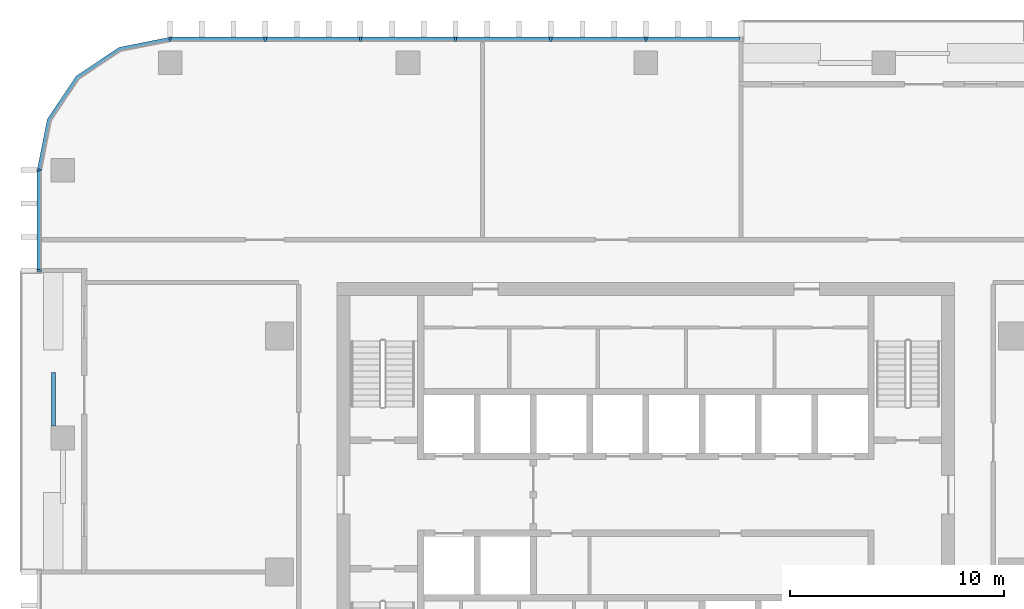
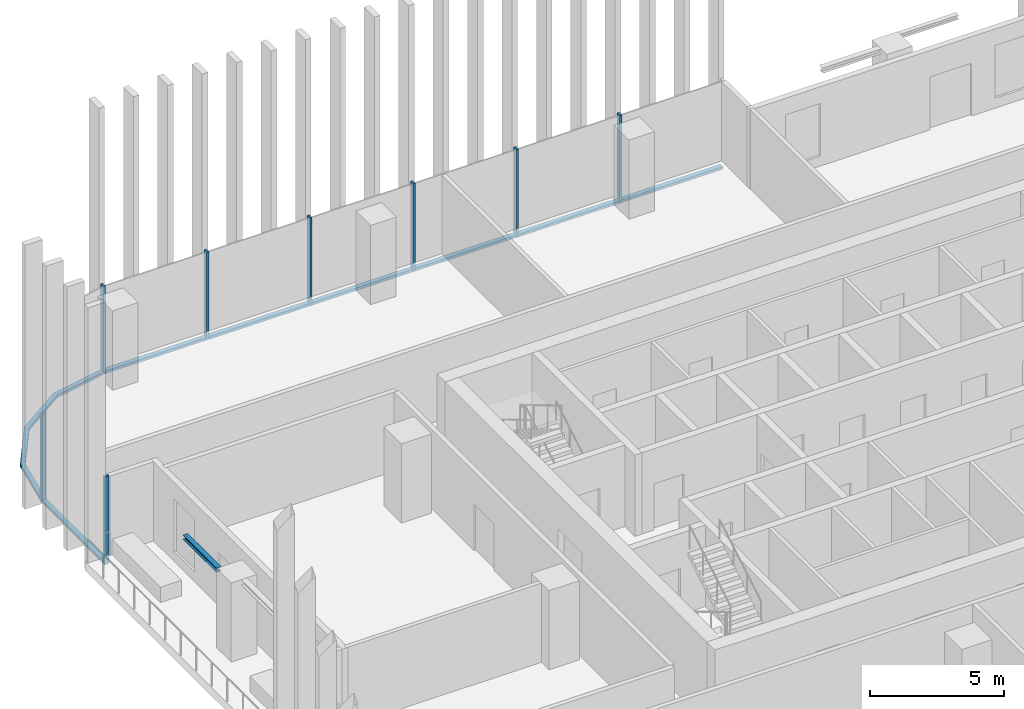
# One storey, part 4 of 16: 16 members, 1 beam, 3 elements without a shape of their own.
"""IFC4 building model written with IfcOpenShell, lengths in metres."""

from ifc_helpers import new_model, si_unit, direction, frame, origin, origin_2d, place, context, subcontext, project, spatial, polyline, rectangle, i_section, outline, extrude, material, material_profile, profile_set, type_object, element, aggregate, save


model = new_model("IFC4")

# Units and contexts
model_context = context("Model", 3, precision=1e-05, world=origin(), true_north=direction((0.0, 1.0)))
body_context = subcontext(model_context, "Body", "Model", "MODEL_VIEW")
ifc_project = project(units=[si_unit("LENGTHUNIT", "METRE"), si_unit("AREAUNIT", "SQUARE_METRE"), si_unit("VOLUMEUNIT", "CUBIC_METRE"), si_unit("PLANEANGLEUNIT", "RADIAN"), si_unit("MASSUNIT", "GRAM", prefix="KILO")], contexts=[model_context])

# Site, building, storey
site_placement = place(None, origin())
site = spatial("IfcSite", under=ifc_project, at=site_placement, CompositionType="ELEMENT")
building_placement = place(site_placement, origin())
building = spatial("IfcBuilding", under=site, at=building_placement, Name="Mopane Tessera Tower", CompositionType="ELEMENT")
storey_placement = place(building_placement, frame((0.0, 0.0, 235.0)))
storey = spatial("IfcBuildingStorey", under=building, at=storey_placement, Name="L50", CompositionType="ELEMENT", Elevation=235.0)

# Curtain wall, members
ifc_material_1 = material(Name="Aluminium frame", Category="aluminium")
curtain_wall_type = type_object("IfcCurtainWallType", Name="Unitised curtain wall", PredefinedType="NOTDEFINED", material=ifc_material_1)
curtain_wall_1_placement = place(storey_placement, origin())
curtain_wall_1 = element("IfcCurtainWall", 1, at=curtain_wall_1_placement, inside=storey, type_object=curtain_wall_type, Name="e:cw:L50:N:4", PredefinedType="NOTDEFINED")
ifc_material_2 = material(Name="Aluminium frame", Category="aluminium")
ifc_material_profile_1 = material_profile(ifc_material_2, rectangle(XDim=0.10009765625, YDim=0.199951171875, at=origin_2d()))
ifc_profile_set_1 = profile_set([ifc_material_profile_1], Name="Aluminium frame")
member_type_1 = type_object("IfcMemberType", Name="Aluminium mullion 100 x 200", PredefinedType="MULLION", material=ifc_profile_set_1)
member_1_placement = place(storey_placement, frame((0.0, 24.85009765625, -0.39990234375), z_axis=(0.0, 0.0, 1.0), x_axis=(-1.0, 0.0, 0.0)))
member_1 = element("IfcMember", 2, at=member_1_placement, type_object=member_type_1, Name="e:cw:L50:N:4:mu5", PredefinedType="MULLION", context=body_context, shape_type="SweptSolid", body=[
    extrude(rectangle(XDim=0.10009765625, YDim=0.199951171875, at=origin_2d()), origin(), (0.0, 0.0, 1.0), 4.0),
])
member_2_placement = place(storey_placement, frame((-4.43994140625, 24.85009765625, -0.39990234375), z_axis=(0.0, 0.0, 1.0), x_axis=(-1.0, 0.0, 0.0)))
member_2 = element("IfcMember", 3, at=member_2_placement, type_object=member_type_1, Name="e:cw:L50:N:4:mu6", PredefinedType="MULLION", context=body_context, shape_type="SweptSolid", body=[
    extrude(rectangle(XDim=0.10009765625, YDim=0.199951171875, at=origin_2d()), origin(), (0.0, 0.0, 1.0), 4.0),
])
member_3_placement = place(storey_placement, frame((-8.8798828125, 24.85009765625, -0.39990234375), z_axis=(0.0, 0.0, 1.0), x_axis=(-1.0, 0.0, 0.0)))
member_3 = element("IfcMember", 4, at=member_3_placement, type_object=member_type_1, Name="e:cw:L50:N:4:mu7", PredefinedType="MULLION", context=body_context, shape_type="SweptSolid", body=[
    extrude(rectangle(XDim=0.10009765625, YDim=0.199951171875, at=origin_2d()), origin(), (0.0, 0.0, 1.0), 4.0),
])
member_4_placement = place(storey_placement, frame((-13.320068359375, 24.85009765625, -0.39990234375), z_axis=(0.0, 0.0, 1.0), x_axis=(-1.0, 0.0, 0.0)))
member_4 = element("IfcMember", 5, at=member_4_placement, type_object=member_type_1, Name="e:cw:L50:N:4:mu8", PredefinedType="MULLION", context=body_context, shape_type="SweptSolid", body=[
    extrude(rectangle(XDim=0.10009765625, YDim=0.199951171875, at=origin_2d()), origin(), (0.0, 0.0, 1.0), 4.0),
])
member_5_placement = place(storey_placement, frame((-17.760009765625, 24.85009765625, -0.39990234375), z_axis=(0.0, 0.0, 1.0), x_axis=(-1.0, 0.0, 0.0)))
member_5 = element("IfcMember", 6, at=member_5_placement, type_object=member_type_1, Name="e:cw:L50:N:4:mu9", PredefinedType="MULLION", context=body_context, shape_type="SweptSolid", body=[
    extrude(rectangle(XDim=0.10009765625, YDim=0.199951171875, at=origin_2d()), origin(), (0.0, 0.0, 1.0), 4.0),
])
member_6_placement = place(storey_placement, frame((-22.199951171875, 24.85009765625, -0.39990234375), z_axis=(0.0, 0.0, 1.0), x_axis=(-1.0, 0.0, 0.0)))
member_6 = element("IfcMember", 7, at=member_6_placement, type_object=member_type_1, Name="e:cw:L50:N:4:mu10", PredefinedType="MULLION", context=body_context, shape_type="SweptSolid", body=[
    extrude(rectangle(XDim=0.10009765625, YDim=0.199951171875, at=origin_2d()), origin(), (0.0, 0.0, 1.0), 4.0),
])

curtain_wall_2_placement = place(storey_placement, origin())
curtain_wall_2 = element("IfcCurtainWall", 8, at=curtain_wall_2_placement, inside=storey, type_object=curtain_wall_type, Name="e:cw:L50:W:0", PredefinedType="NOTDEFINED")
member_7_placement = place(storey_placement, frame((-28.300048828125, 18.75, -0.39990234375), z_axis=(0.0, 0.0, 1.0), x_axis=(0.0, -1.0, 0.0)))
member_7 = element("IfcMember", 9, at=member_7_placement, type_object=member_type_1, Name="e:cw:L50:W:0:mu0", PredefinedType="MULLION", context=body_context, shape_type="SweptSolid", body=[
    extrude(rectangle(XDim=0.10009765625, YDim=0.199951171875, at=origin_2d()), origin(), (0.0, 0.0, 1.0), 4.0),
])
member_8_placement = place(storey_placement, frame((-28.300048828125, 14.0625, -0.39990234375), z_axis=(0.0, 0.0, 1.0), x_axis=(0.0, -1.0, 0.0)))
member_8 = element("IfcMember", 10, at=member_8_placement, type_object=member_type_1, Name="e:cw:L50:W:0:mu1", PredefinedType="MULLION", context=body_context, shape_type="SweptSolid", body=[
    extrude(rectangle(XDim=0.10009765625, YDim=0.199951171875, at=origin_2d()), origin(), (0.0, 0.0, 1.0), 4.0),
])

# Member
ifc_material_3 = material(Name="Aluminium frame", Category="aluminium")
ifc_material_profile_2 = material_profile(ifc_material_3, rectangle(XDim=0.199951171875, YDim=0.1201171875, at=origin_2d()))
ifc_profile_set_2 = profile_set([ifc_material_profile_2], Name="Aluminium frame")
member_type_2 = type_object("IfcMemberType", Name="Aluminium transom 200 x 120", PredefinedType="USERDEFINED", material=ifc_profile_set_2)
member_9_placement = place(storey_placement, frame((4.389892578125, 24.85009765625, -0.340087890625), z_axis=(-1.0, 0.0, 0.0), x_axis=(0.0, -1.0, 0.0)))
member_9 = element("IfcMember", 11, at=member_9_placement, type_object=member_type_2, Name="e:cw:L50:N:4:tr4", ObjectType="TRANSOM", PredefinedType="USERDEFINED", context=body_context, shape_type="SweptSolid", body=[
    extrude(rectangle(XDim=0.199951171875, YDim=0.1201171875, at=origin_2d()), origin(), (0.0, 0.0, 1.0), 4.33984375),
])

member_10_placement = place(storey_placement, frame((-0.050048828125, 24.85009765625, -0.340087890625), z_axis=(-1.0, 0.0, 0.0), x_axis=(0.0, -1.0, 0.0)))
member_10 = element("IfcMember", 12, at=member_10_placement, type_object=member_type_2, Name="e:cw:L50:N:4:tr5", ObjectType="TRANSOM", PredefinedType="USERDEFINED", context=body_context, shape_type="SweptSolid", body=[
    extrude(rectangle(XDim=0.199951171875, YDim=0.1201171875, at=origin_2d()), origin(), (0.0, 0.0, 1.0), 4.33984375),
])

member_11_placement = place(storey_placement, frame((-4.489990234375, 24.85009765625, -0.340087890625), z_axis=(-1.0, 0.0, 0.0), x_axis=(0.0, -1.0, 0.0)))
member_11 = element("IfcMember", 13, at=member_11_placement, type_object=member_type_2, Name="e:cw:L50:N:4:tr6", ObjectType="TRANSOM", PredefinedType="USERDEFINED", context=body_context, shape_type="SweptSolid", body=[
    extrude(rectangle(XDim=0.199951171875, YDim=0.1201171875, at=origin_2d()), origin(), (0.0, 0.0, 1.0), 4.340087890625),
])

member_12_placement = place(storey_placement, frame((-8.929931640625, 24.85009765625, -0.340087890625), z_axis=(-1.0, 0.0, 0.0), x_axis=(0.0, -1.0, 0.0)))
member_12 = element("IfcMember", 14, at=member_12_placement, type_object=member_type_2, Name="e:cw:L50:N:4:tr7", ObjectType="TRANSOM", PredefinedType="USERDEFINED", context=body_context, shape_type="SweptSolid", body=[
    extrude(rectangle(XDim=0.199951171875, YDim=0.1201171875, at=origin_2d()), origin(), (0.0, 0.0, 1.0), 4.340087890625),
])

member_13_placement = place(storey_placement, frame((-13.3701171875, 24.85009765625, -0.340087890625), z_axis=(-1.0, 0.0, 0.0), x_axis=(0.0, -1.0, 0.0)))
member_13 = element("IfcMember", 15, at=member_13_placement, type_object=member_type_2, Name="e:cw:L50:N:4:tr8", ObjectType="TRANSOM", PredefinedType="USERDEFINED", context=body_context, shape_type="SweptSolid", body=[
    extrude(rectangle(XDim=0.199951171875, YDim=0.1201171875, at=origin_2d()), origin(), (0.0, 0.0, 1.0), 4.33984375),
])

member_14_placement = place(storey_placement, frame((-17.81005859375, 24.85009765625, -0.340087890625), z_axis=(-1.0, 0.0, 0.0), x_axis=(0.0, -1.0, 0.0)))
member_14 = element("IfcMember", 16, at=member_14_placement, type_object=member_type_2, Name="e:cw:L50:N:4:tr9", ObjectType="TRANSOM", PredefinedType="USERDEFINED", context=body_context, shape_type="SweptSolid", body=[
    extrude(rectangle(XDim=0.199951171875, YDim=0.1201171875, at=origin_2d()), origin(), (0.0, 0.0, 1.0), 4.33984375),
])

aggregate(curtain_wall_1, [member_1, member_2, member_3, member_4, member_5, member_6, member_9, member_10, member_11, member_12, member_13, member_14])

# Curtain wall, member
curtain_wall_3_placement = place(storey_placement, origin())
curtain_wall_3 = element("IfcCurtainWall", 17, at=curtain_wall_3_placement, inside=storey, type_object=curtain_wall_type, Name="e:cw:L50:CN", PredefinedType="NOTDEFINED")
member_15_placement = place(storey_placement, frame((0.0, 0.0, -0.39990234375)))
member_15 = element("IfcMember", 18, at=member_15_placement, type_object=member_type_2, Name="e:cw:L50:CN:tr", ObjectType="TRANSOM", PredefinedType="USERDEFINED", context=body_context, shape_type="SweptSolid", body=[
    extrude(outline(polyline([(-22.199951171875, 24.75), (-24.49609375, 24.293212890625), (-26.442626953125, 22.99267578125), (-27.7431640625, 21.046142578125), (-28.199951171875, 18.75), (-28.39990234375, 18.75), (-27.927978515625, 21.12255859375), (-26.583984375, 23.134033203125), (-24.57275390625, 24.47802734375), (-22.199951171875, 24.949951171875), (-22.199951171875, 24.75)])), origin(), (0.0, 0.0, 1.0), 0.119873046875),
])
aggregate(curtain_wall_3, [member_15])

# Member
member_16_placement = place(storey_placement, frame((-28.300048828125, 18.699951171875, -0.340087890625), z_axis=(0.0, -1.0, 0.0), x_axis=(1.0, 0.0, 0.0)))
member_16 = element("IfcMember", 19, at=member_16_placement, type_object=member_type_2, Name="e:cw:L50:W:0:tr0", ObjectType="TRANSOM", PredefinedType="USERDEFINED", context=body_context, shape_type="SweptSolid", body=[
    extrude(rectangle(XDim=0.199951171875, YDim=0.1201171875, at=origin_2d()), origin(), (0.0, 0.0, 1.0), 4.58740234375),
])

aggregate(curtain_wall_2, [member_7, member_8, member_16])

# Beam
ifc_material_4 = material(Name="Structural steel S460", Category="steel")
ifc_material_profile_3 = material_profile(ifc_material_4, i_section(OverallWidth=0.199951171875, OverallDepth=0.199951171875, WebThickness=0.009033203125, FlangeThickness=0.014892578125, FilletRadius=0.01806640625, at=origin_2d()))
ifc_profile_set_3 = profile_set([ifc_material_profile_3], Name="Structural steel S460")
beam_type = type_object("IfcBeamType", Name="Terrace trimmer beam HE 200 B", PredefinedType="BEAM", material=ifc_profile_set_3)
beam_placement = place(storey_placement, frame((-27.639892578125, 6.802978515625, 3.5), z_axis=(0.0, 1.0, 0.0), x_axis=(-1.0, 0.0, 0.0)))
element("IfcBeam", 20, at=beam_placement, inside=storey, type_object=beam_type, Name="Terrace trimmer beam N3 L51", PredefinedType="BEAM", context=body_context, shape_type="SweptSolid", body=[
    extrude(i_section(OverallWidth=0.199951171875, OverallDepth=0.199951171875, WebThickness=0.009033203125, FlangeThickness=0.014892578125, FilletRadius=0.01806640625, at=origin_2d()), origin(), (0.0, 0.0, 1.0), 2.5),
])

save(model, "model.ifc")
